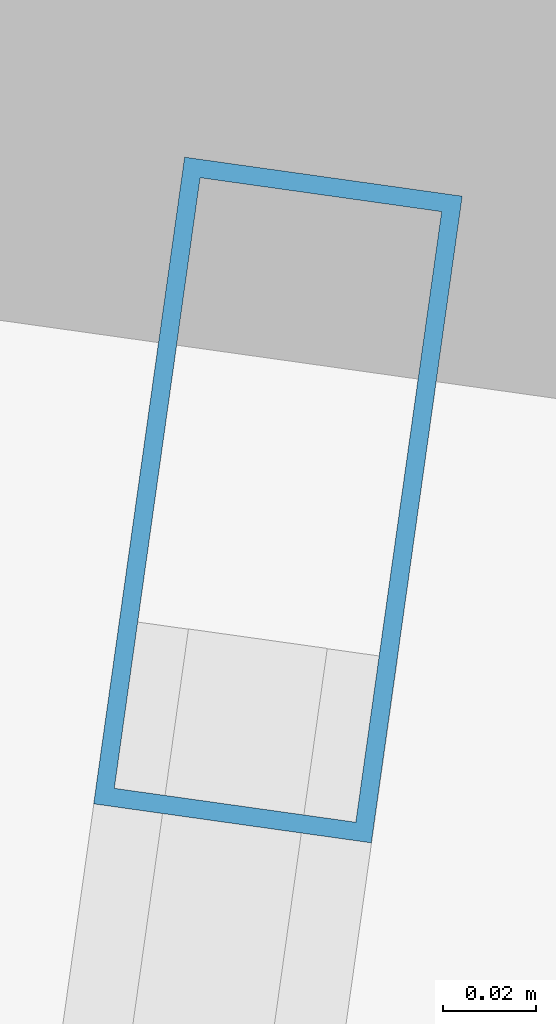
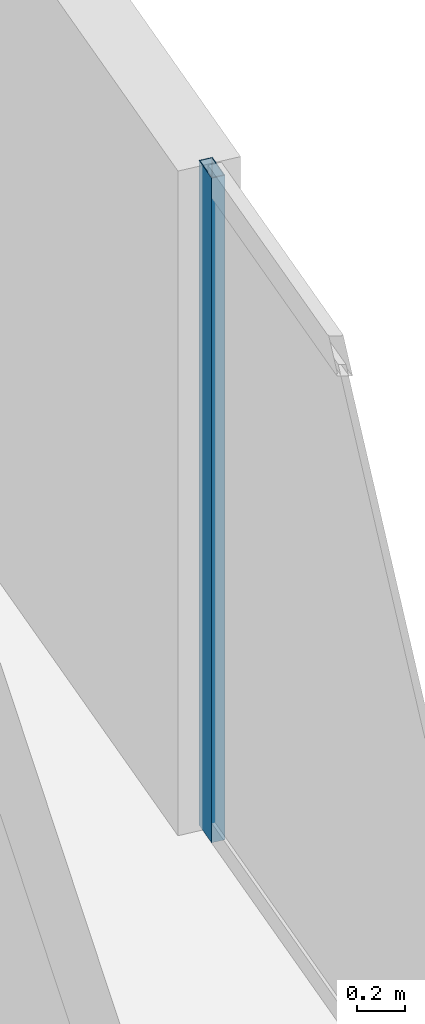
# One storey, part 15 of 20: 1 member, 1 element without a shape of its own.
"""IFC4 building model written with IfcOpenShell, lengths in metres."""

from ifc_helpers import new_model, si_unit, direction, frame, origin, origin_2d, place, context, subcontext, project, spatial, hollow_rectangle, extrude, material, layer, layer_set, material_profile, profile_set, type_object, element, aggregate, save


model = new_model("IFC4")

# Units and contexts
model_context = context("Model", 3, precision=1e-05, world=origin(), true_north=direction((0.0, 1.0)))
body_context = subcontext(model_context, "Body", "Model", "MODEL_VIEW")
ifc_project = project(units=[si_unit("LENGTHUNIT", "METRE"), si_unit("AREAUNIT", "SQUARE_METRE"), si_unit("VOLUMEUNIT", "CUBIC_METRE"), si_unit("PLANEANGLEUNIT", "RADIAN"), si_unit("MASSUNIT", "GRAM", prefix="KILO")], contexts=[model_context])

# Site, building, storey
site_placement = place(None, origin())
site = spatial("IfcSite", under=ifc_project, at=site_placement, CompositionType="ELEMENT")
building_placement = place(site_placement, origin())
building = spatial("IfcBuilding", under=site, at=building_placement, Name="Kravanh Interchange Tower", CompositionType="ELEMENT")
storey_placement = place(building_placement, frame((0.0, 0.0, 245.39990234375)))
storey = spatial("IfcBuildingStorey", under=building, at=storey_placement, Name="L59", CompositionType="ELEMENT", Elevation=245.39990234375)

# Curtain wall, member
ifc_material_1 = material(Name="Anodised Bronze Aluminium", Category="aluminium")
ifc_layer = layer(ifc_material_1, 0.179931640625)
ifc_layer_set = layer_set([ifc_layer], Name="Unitised Curtain Wall System CW-HTL Luxury Hotel")
curtain_wall_type = type_object("IfcCurtainWallType", Name="Unitised Curtain Wall System CW-HTL Luxury Hotel", PredefinedType="NOTDEFINED", material=ifc_layer_set)
curtain_wall_placement = place(storey_placement, origin())
curtain_wall = element("IfcCurtainWall", 1, at=curtain_wall_placement, inside=storey, type_object=curtain_wall_type, Name="L59 Unitised Curtain Wall CW-L59-01", PredefinedType="NOTDEFINED")
ifc_material_2 = material(Name="Anodised Bronze Aluminium", Category="aluminium")
ifc_material_profile = material_profile(ifc_material_2, hollow_rectangle(XDim=0.06005859375, YDim=0.139892578125, WallThickness=0.00390625, at=origin_2d()), Name="ALU60X140X4")
ifc_profile_set = profile_set([ifc_material_profile], Name="Anodised Bronze Aluminium")
member_type = type_object("IfcMemberType", Name="Curtain Wall Mullion ALU60X140X4 Bronze", PredefinedType="MULLION", material=ifc_profile_set)
member_placement = place(storey_placement, frame((68.370849609375, 37.770263671875, 0.0), z_axis=(0.0, 0.0, 1.0), x_axis=(0.990267981542, -0.139173721418, 0.0)))
member = element("IfcMember", 2, at=member_placement, type_object=member_type, Name="CW-HTL mullion 1", PredefinedType="MULLION", context=body_context, shape_type="SweptSolid", body=[
    extrude(hollow_rectangle(XDim=0.06005859375, YDim=0.139892578125, WallThickness=0.00390625, at=origin_2d()), origin(), (0.0, 0.0, 1.0), 3.360107421875),
])
aggregate(curtain_wall, [member])

save(model, "model.ifc")
